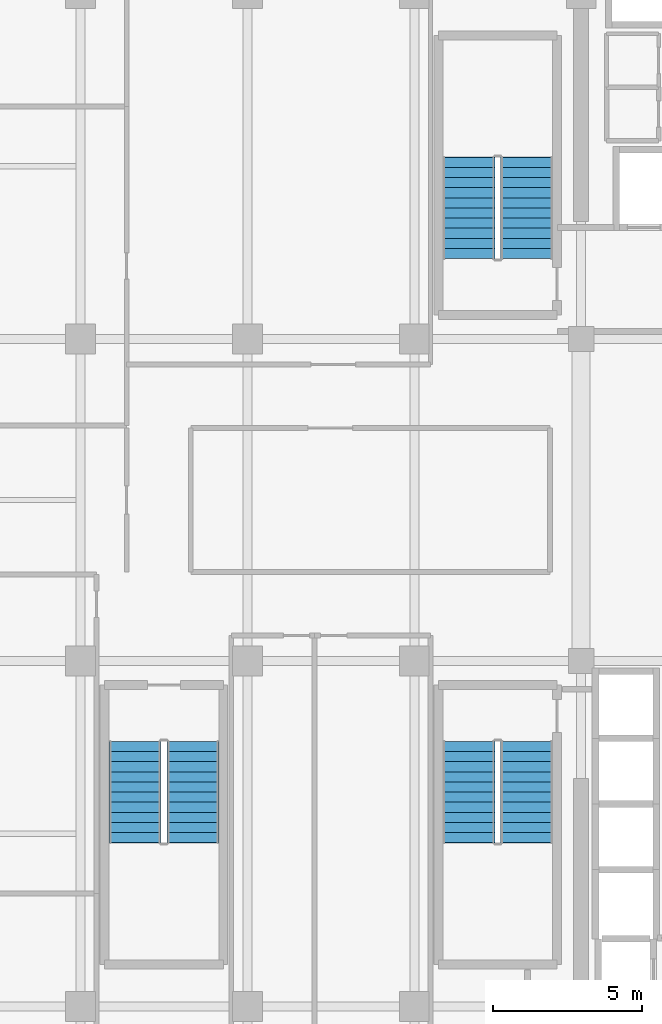
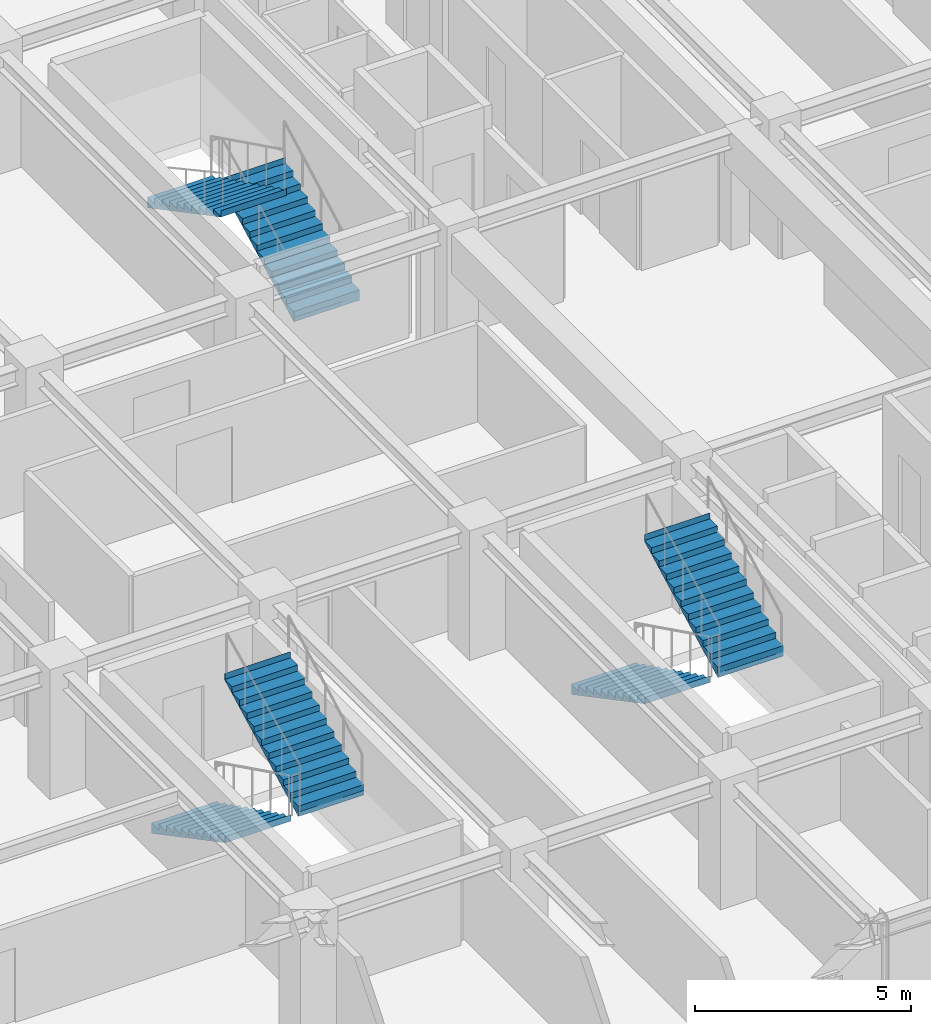
# One storey, part 33 of 36: 6 stair flights, 3 elements without a shape of their own.
"""IFC4 building model written with IfcOpenShell, lengths in metres."""

from ifc_helpers import new_model, si_unit, direction, frame, origin, place, context, subcontext, project, spatial, polyline, outline, extrude, source, transform, mapped, material, layer, layer_set, type_object, element, aggregate, save


model = new_model("IFC4")

# Units and contexts
model_context = context("Model", 3, precision=1e-05, world=origin(), true_north=direction((0.0, 1.0)))
body_context = subcontext(model_context, "Body", "Model", "MODEL_VIEW")
ifc_project = project(units=[si_unit("LENGTHUNIT", "METRE"), si_unit("AREAUNIT", "SQUARE_METRE"), si_unit("VOLUMEUNIT", "CUBIC_METRE"), si_unit("PLANEANGLEUNIT", "RADIAN"), si_unit("MASSUNIT", "GRAM", prefix="KILO")], contexts=[model_context])

# Site, building, storey
site_placement = place(None, origin())
site = spatial("IfcSite", under=ifc_project, at=site_placement, CompositionType="ELEMENT")
building_placement = place(site_placement, origin())
building = spatial("IfcBuilding", under=site, at=building_placement, Name="Nahalor Promenade Grand Hotel", CompositionType="ELEMENT")
storey_placement = place(building_placement, frame((0.0, 0.0, 253.0)))
storey = spatial("IfcBuildingStorey", under=building, at=storey_placement, Name="L65", CompositionType="ELEMENT", Elevation=253.0)

# Stair, stair flights
ifc_material = material(Name="Concrete B-50 (C40/50)", Category="concrete")
stair_type_1 = type_object("IfcStairType", Name="Stair-ST1", PredefinedType="HALF_TURN_STAIR", material=ifc_material)
stair_1_placement = place(storey_placement, origin())
stair_1 = element("IfcStair", 1, at=stair_1_placement, inside=storey, type_object=stair_type_1, Name="L65 ST1", PredefinedType="HALF_TURN_STAIR")
ifc_layer_1 = layer(ifc_material, 0.179931640625)
ifc_layer_set_1 = layer_set([ifc_layer_1], Name="Concrete B-50 (C40/50)")
stair_flight_type_1 = type_object("IfcStairFlightType", Name="Flight-ST1", PredefinedType="STRAIGHT", material=ifc_layer_set_1)
shared_shape_1 = source(origin(), body_context, "Body", "SweptSolid", [
    extrude(outline(polyline([(-0.00390625, -0.1201171875), (-0.00390625, 0.0), (0.0, 0.0), (0.0, 0.168212890625), (0.340087890625, 0.168212890625), (0.340087890625, 0.33642578125), (0.679931640625, 0.33642578125), (0.679931640625, 0.504638671875), (1.02001953125, 0.504638671875), (1.02001953125, 0.672607421875), (1.360107421875, 0.672607421875), (1.360107421875, 0.8408203125), (1.699951171875, 0.8408203125), (1.699951171875, 1.009033203125), (2.0400390625, 1.009033203125), (2.0400390625, 1.17724609375), (2.3798828125, 1.17724609375), (2.3798828125, 1.345458984375), (2.719970703125, 1.345458984375), (2.719970703125, 1.513671875), (3.06005859375, 1.513671875), (3.06005859375, 1.681884765625), (3.39990234375, 1.681884765625), (3.39990234375, 1.85009765625), (3.404052734375, 1.85009765625), (3.404052734375, 1.669921875), (0.02001953125, -0.1201171875), (-0.00390625, -0.1201171875)])), frame((0.0, 0.875, 0.0), z_axis=(0.0, -1.0, 0.0), x_axis=(1.0, 0.0, 0.0)), (0.0, 0.0, 1.0), 1.75),
])
stair_flight_1_placement = place(storey_placement, frame((6.574951171875, 8.10009765625, 0.0), z_axis=(0.0, 0.0, 1.0), x_axis=(0.0, 1.0, 0.0)))
stair_flight_1 = element("IfcStairFlight", 2, at=stair_flight_1_placement, type_object=stair_flight_type_1, Name="ST1 flight 1", NumberOfRisers=11, NumberOfTreads=10, PredefinedType="STRAIGHT", RiserHeight=0.168181818, TreadLength=0.34, context=body_context, shape_type="MappedRepresentation", body=[
    mapped(shared_shape_1, transform((0.0, 0.0, 0.0), scale=1.0)),
])
stair_flight_2_placement = place(storey_placement, frame((4.625, 11.5, 1.85009765625), z_axis=(0.0, 0.0, 1.0), x_axis=(0.0, -1.0, 0.0)))
stair_flight_2 = element("IfcStairFlight", 3, at=stair_flight_2_placement, type_object=stair_flight_type_1, Name="ST1 flight 2", NumberOfRisers=11, NumberOfTreads=10, PredefinedType="STRAIGHT", RiserHeight=0.168181818, TreadLength=0.34, context=body_context, shape_type="MappedRepresentation", body=[
    mapped(shared_shape_1, transform((0.0, 0.0, 0.0), scale=1.0)),
])
aggregate(stair_1, [stair_flight_1, stair_flight_2])

stair_type_2 = type_object("IfcStairType", Name="Stair-ST2", PredefinedType="HALF_TURN_STAIR", material=ifc_material)
stair_2_placement = place(storey_placement, origin())
stair_2 = element("IfcStair", 4, at=stair_2_placement, inside=storey, type_object=stair_type_2, Name="L65 ST2", PredefinedType="HALF_TURN_STAIR")
ifc_layer_2 = layer(ifc_material, 0.18994140625)
ifc_layer_set_2 = layer_set([ifc_layer_2], Name="Concrete B-50 (C40/50)")
stair_flight_type_2 = type_object("IfcStairFlightType", Name="Flight-ST2", PredefinedType="STRAIGHT", material=ifc_layer_set_2)
shared_shape_2 = source(origin(), body_context, "Body", "SweptSolid", [
    extrude(outline(polyline([(-0.00390625, -0.1201171875), (-0.00390625, 0.0), (0.0, 0.0), (0.0, 0.168212890625), (0.340087890625, 0.168212890625), (0.340087890625, 0.33642578125), (0.679931640625, 0.33642578125), (0.679931640625, 0.504638671875), (1.02001953125, 0.504638671875), (1.02001953125, 0.672607421875), (1.360107421875, 0.672607421875), (1.360107421875, 0.8408203125), (1.699951171875, 0.8408203125), (1.699951171875, 1.009033203125), (2.0400390625, 1.009033203125), (2.0400390625, 1.17724609375), (2.3798828125, 1.17724609375), (2.3798828125, 1.345458984375), (2.719970703125, 1.345458984375), (2.719970703125, 1.513671875), (3.06005859375, 1.513671875), (3.06005859375, 1.681884765625), (3.39990234375, 1.681884765625), (3.39990234375, 1.85009765625), (3.404052734375, 1.85009765625), (3.404052734375, 1.669921875), (0.02001953125, -0.1201171875), (-0.00390625, -0.1201171875)])), frame((0.0, 0.875, 0.0), z_axis=(0.0, -1.0, 0.0), x_axis=(1.0, 0.0, 0.0)), (0.0, 0.0, 1.0), 1.75),
])
stair_flight_3_placement = place(storey_placement, frame((4.625, -8.10009765625, 0.0), z_axis=(0.0, 0.0, 1.0), x_axis=(0.0, -1.0, 0.0)))
stair_flight_3 = element("IfcStairFlight", 5, at=stair_flight_3_placement, type_object=stair_flight_type_2, Name="ST2 flight 1", NumberOfRisers=11, NumberOfTreads=10, PredefinedType="STRAIGHT", RiserHeight=0.168181818, TreadLength=0.34, context=body_context, shape_type="MappedRepresentation", body=[
    mapped(shared_shape_2, transform((0.0, 0.0, 0.0), scale=1.0)),
])
stair_flight_4_placement = place(storey_placement, frame((6.574951171875, -11.5, 1.85009765625), z_axis=(0.0, 0.0, 1.0), x_axis=(0.0, 1.0, 0.0)))
stair_flight_4 = element("IfcStairFlight", 6, at=stair_flight_4_placement, type_object=stair_flight_type_2, Name="ST2 flight 2", NumberOfRisers=11, NumberOfTreads=10, PredefinedType="STRAIGHT", RiserHeight=0.168181818, TreadLength=0.34, context=body_context, shape_type="MappedRepresentation", body=[
    mapped(shared_shape_2, transform((0.0, 0.0, 0.0), scale=1.0)),
])
aggregate(stair_2, [stair_flight_3, stair_flight_4])

stair_type_3 = type_object("IfcStairType", Name="Stair-ST3", PredefinedType="HALF_TURN_STAIR", material=ifc_material)
stair_3_placement = place(storey_placement, origin())
stair_3 = element("IfcStair", 7, at=stair_3_placement, inside=storey, type_object=stair_type_3, Name="L65 ST3", PredefinedType="HALF_TURN_STAIR")
ifc_layer_3 = layer(ifc_material, 0.199951171875)
ifc_layer_set_3 = layer_set([ifc_layer_3], Name="Concrete B-50 (C40/50)")
stair_flight_type_3 = type_object("IfcStairFlightType", Name="Flight-ST3", PredefinedType="STRAIGHT", material=ifc_layer_set_3)
shared_shape_3 = source(origin(), body_context, "Body", "SweptSolid", [
    extrude(outline(polyline([(-0.00390625, -0.1201171875), (-0.00390625, 0.0), (0.0, 0.0), (0.0, 0.168212890625), (0.340087890625, 0.168212890625), (0.340087890625, 0.33642578125), (0.679931640625, 0.33642578125), (0.679931640625, 0.504638671875), (1.02001953125, 0.504638671875), (1.02001953125, 0.672607421875), (1.360107421875, 0.672607421875), (1.360107421875, 0.8408203125), (1.699951171875, 0.8408203125), (1.699951171875, 1.009033203125), (2.0400390625, 1.009033203125), (2.0400390625, 1.17724609375), (2.3798828125, 1.17724609375), (2.3798828125, 1.345458984375), (2.719970703125, 1.345458984375), (2.719970703125, 1.513671875), (3.06005859375, 1.513671875), (3.06005859375, 1.681884765625), (3.39990234375, 1.681884765625), (3.39990234375, 1.85009765625), (3.404052734375, 1.85009765625), (3.404052734375, 1.669921875), (0.02001953125, -0.1201171875), (-0.00390625, -0.1201171875)])), frame((0.0, 0.875, 0.0), z_axis=(0.0, -1.0, 0.0), x_axis=(1.0, 0.0, 0.0)), (0.0, 0.0, 1.0), 1.75),
])
stair_flight_5_placement = place(storey_placement, frame((-6.574951171875, -8.10009765625, 0.0), z_axis=(0.0, 0.0, 1.0), x_axis=(0.0, -1.0, 0.0)))
stair_flight_5 = element("IfcStairFlight", 8, at=stair_flight_5_placement, type_object=stair_flight_type_3, Name="ST3 flight 1", NumberOfRisers=11, NumberOfTreads=10, PredefinedType="STRAIGHT", RiserHeight=0.168181818, TreadLength=0.34, context=body_context, shape_type="MappedRepresentation", body=[
    mapped(shared_shape_3, transform((0.0, 0.0, 0.0), scale=1.0)),
])
stair_flight_6_placement = place(storey_placement, frame((-4.625, -11.5, 1.85009765625), z_axis=(0.0, 0.0, 1.0), x_axis=(0.0, 1.0, 0.0)))
stair_flight_6 = element("IfcStairFlight", 9, at=stair_flight_6_placement, type_object=stair_flight_type_3, Name="ST3 flight 2", NumberOfRisers=11, NumberOfTreads=10, PredefinedType="STRAIGHT", RiserHeight=0.168181818, TreadLength=0.34, context=body_context, shape_type="MappedRepresentation", body=[
    mapped(shared_shape_3, transform((0.0, 0.0, 0.0), scale=1.0)),
])
aggregate(stair_3, [stair_flight_5, stair_flight_6])

save(model, "model.ifc")
